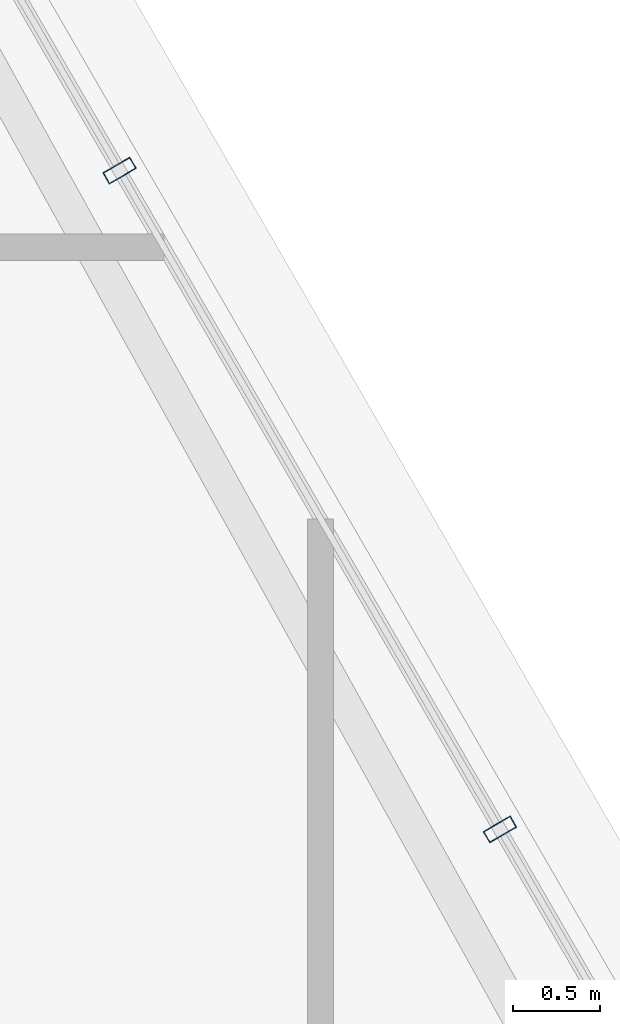
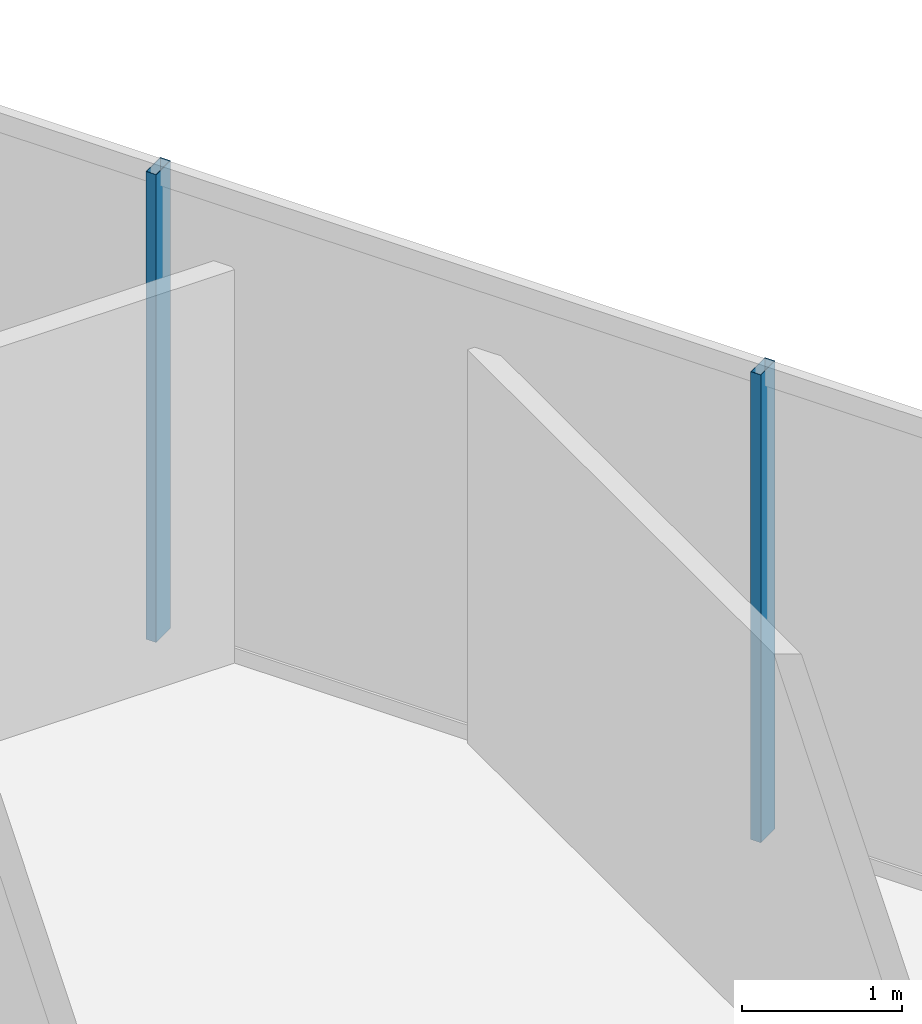
# One storey, part 17 of 29: 2 members, 1 element without a shape of its own.
"""IFC4 building model written with IfcOpenShell, lengths in metres."""

from ifc_helpers import new_model, si_unit, direction, frame, origin, origin_2d, place, context, subcontext, project, spatial, hollow_rectangle, extrude, material, layer, layer_set, material_profile, profile_set, type_object, element, aggregate, save


model = new_model("IFC4")

# Units and contexts
model_context = context("Model", 3, precision=1e-05, world=origin(), true_north=direction((0.0, 1.0)))
body_context = subcontext(model_context, "Body", "Model", "MODEL_VIEW")
ifc_project = project(units=[si_unit("LENGTHUNIT", "METRE"), si_unit("AREAUNIT", "SQUARE_METRE"), si_unit("VOLUMEUNIT", "CUBIC_METRE"), si_unit("PLANEANGLEUNIT", "RADIAN"), si_unit("MASSUNIT", "GRAM", prefix="KILO")], contexts=[model_context])

# Site, building, storey
site_placement = place(None, origin())
site = spatial("IfcSite", under=ifc_project, at=site_placement, CompositionType="ELEMENT")
building_placement = place(site_placement, origin())
building = spatial("IfcBuilding", under=site, at=building_placement, Name="Ndaravel Arena Tower", CompositionType="ELEMENT")
storey_placement = place(building_placement, frame((0.0, 0.0, 240.800048828125)))
storey = spatial("IfcBuildingStorey", under=building, at=storey_placement, Name="L58", CompositionType="ELEMENT", Elevation=240.800048828125)

# Curtain wall, members
ifc_material_1 = material(Name="Aluminium", Category="aluminium")
ifc_layer = layer(ifc_material_1, 0.179931640625)
ifc_layer_set = layer_set([ifc_layer], Name="Aluminium")
curtain_wall_type = type_object("IfcCurtainWallType", Name="CW-SYS-03", PredefinedType="NOTDEFINED", material=ifc_layer_set)
curtain_wall_placement = place(storey_placement, origin())
curtain_wall = element("IfcCurtainWall", 1, at=curtain_wall_placement, inside=storey, type_object=curtain_wall_type, Name="L58 Faceted Crystal Curtain Wall CW-L58-E03", PredefinedType="NOTDEFINED")
ifc_material_2 = material(Name="Aluminium", Category="aluminium")
ifc_material_profile = material_profile(ifc_material_2, hollow_rectangle(XDim=0.074951171875, YDim=0.179931640625, WallThickness=0.00390625, at=origin_2d()), Name="CW MULLION 75x180x4")
ifc_profile_set = profile_set([ifc_material_profile], Name="Aluminium")
member_type = type_object("IfcMemberType", Name="MEM-CW-MUL180", PredefinedType="MULLION", material=ifc_profile_set)
member_1_placement = place(storey_placement, frame((58.431640625, 22.251220703125, 0.0), z_axis=(0.0, 0.0, 1.0), x_axis=(-0.5, 0.866025403784, 0.0)))
member_1 = element("IfcMember", 2, at=member_1_placement, type_object=member_type, Name="CW-L58-E03 Mullion 03", PredefinedType="MULLION", context=body_context, shape_type="SweptSolid", body=[
    extrude(hollow_rectangle(XDim=0.074951171875, YDim=0.179931640625, WallThickness=0.00390625, at=origin_2d()), origin(), (0.0, 0.0, 1.0), 3.579833984375),
])
member_2_placement = place(storey_placement, frame((56.24365234375, 26.041015625, 0.0), z_axis=(0.0, 0.0, 1.0), x_axis=(-0.5, 0.866025403784, 0.0)))
member_2 = element("IfcMember", 3, at=member_2_placement, type_object=member_type, Name="CW-L58-E03 Mullion 04", PredefinedType="MULLION", context=body_context, shape_type="SweptSolid", body=[
    extrude(hollow_rectangle(XDim=0.074951171875, YDim=0.179931640625, WallThickness=0.00390625, at=origin_2d()), origin(), (0.0, 0.0, 1.0), 3.579833984375),
])
aggregate(curtain_wall, [member_1, member_2])

save(model, "model.ifc")
